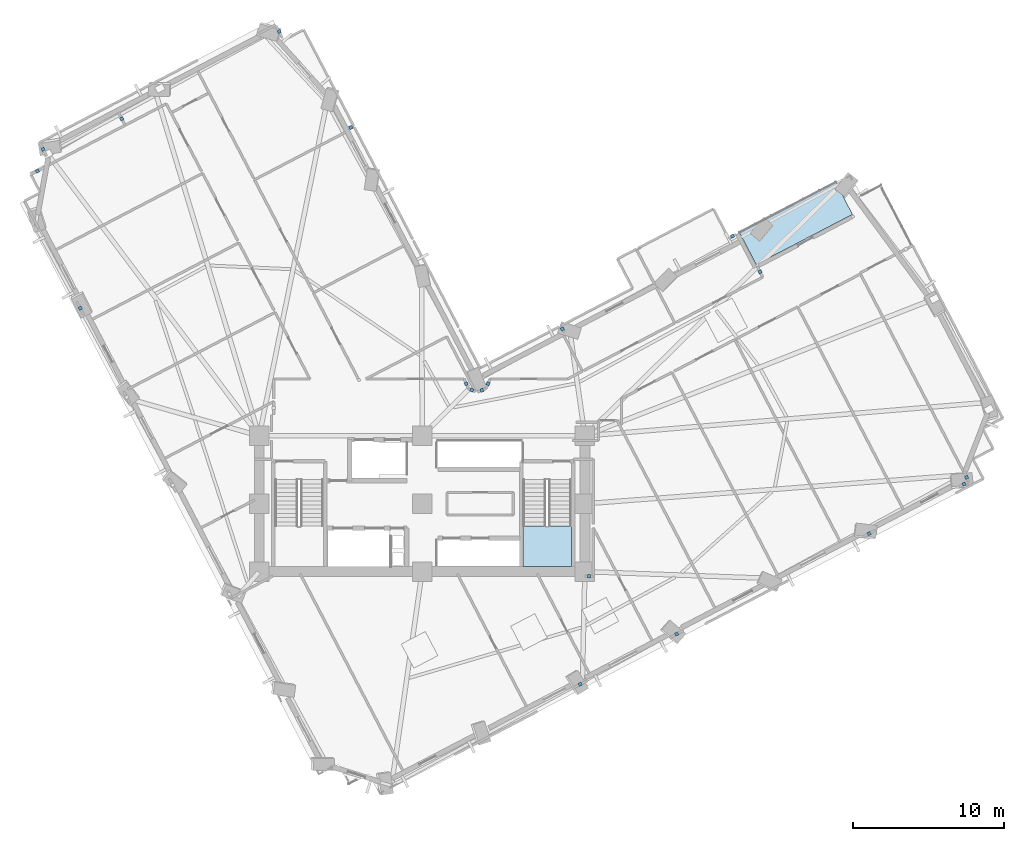
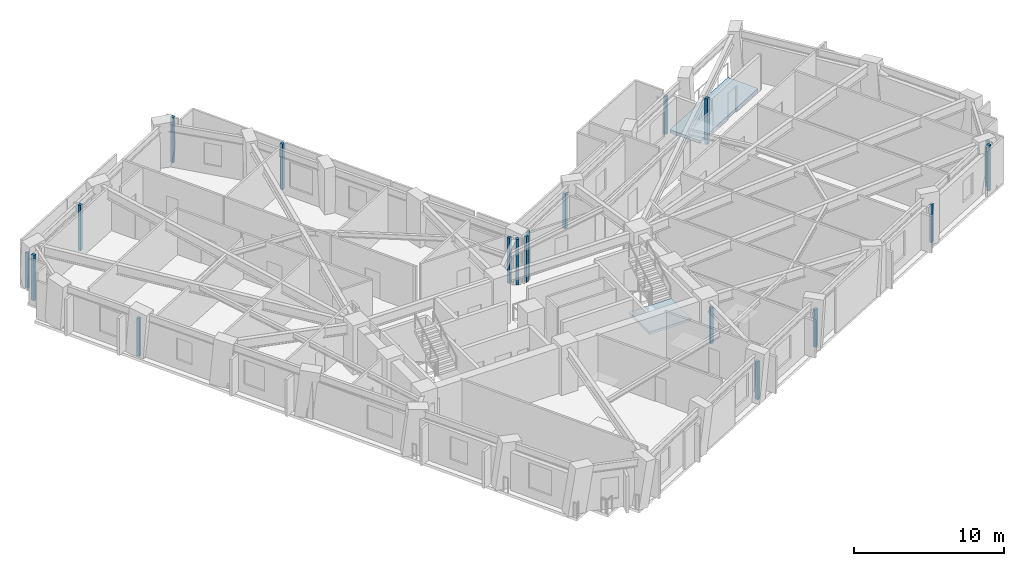
# One storey, part 5 of 16: 19 plates, 2 slabs, 1 element without a shape of its own.
"""IFC4 building model written with IfcOpenShell, lengths in metres."""

from ifc_helpers import new_model, si_unit, direction, frame, origin, origin_2d, place, context, subcontext, project, spatial, polyline, rectangle, outline, extrude, material, layer, layer_set, type_object, element, aggregate, save


model = new_model("IFC4")

# Units and contexts
model_context = context("Model", 3, precision=1e-05, world=origin(), true_north=direction((0.0, 1.0)))
body_context = subcontext(model_context, "Body", "Model", "MODEL_VIEW")
ifc_project = project(units=[si_unit("LENGTHUNIT", "METRE"), si_unit("AREAUNIT", "SQUARE_METRE"), si_unit("VOLUMEUNIT", "CUBIC_METRE"), si_unit("PLANEANGLEUNIT", "RADIAN"), si_unit("MASSUNIT", "GRAM", prefix="KILO")], contexts=[model_context])

# Site, building, storey
site_placement = place(None, origin())
site = spatial("IfcSite", under=ifc_project, at=site_placement, CompositionType="ELEMENT")
building_placement = place(site_placement, origin())
building = spatial("IfcBuilding", under=site, at=building_placement, Name="Gaonmaruhae Medical Tower", CompositionType="ELEMENT")
storey_placement = place(building_placement, frame((0.0, 0.0, 140.39990234375)))
storey = spatial("IfcBuildingStorey", under=building, at=storey_placement, Name="L33", CompositionType="ELEMENT", Elevation=140.39990234375)

# Plates
ifc_material_1 = material(Name="Anodised aluminium 6063-T6", Category="aluminium")
ifc_layer_1 = layer(ifc_material_1, 0.011962890625)
ifc_layer_set_1 = layer_set([ifc_layer_1], Name="Anodised aluminium 6063-T6")
plate_type = type_object("IfcPlateType", Name="PP-01 Interior Partition Corner Stiffener Plate", PredefinedType="SHEET", material=ifc_layer_set_1)
plate_1_placement = place(storey_placement, frame((35.2958984375, 0.32958984375, 0.0), z_axis=(0.0, 0.0, 1.0), x_axis=(-0.886526804891, -0.462677235456, 0.0)))
element("IfcPlate", 1, at=plate_1_placement, inside=storey, type_object=plate_type, Name="L33 Partition Corner Stiffener Plate PLT-L33-JGP-PW009", PredefinedType="SHEET", context=body_context, shape_type="SweptSolid", body=[
    extrude(rectangle(XDim=0.219970703125, YDim=0.219970703125, at=origin_2d()), origin(), (0.0, 0.0, 1.0), 3.0849609375),
])
plate_2_placement = place(storey_placement, frame((35.875, 7.5, 0.0), z_axis=(0.0, 0.0, 1.0), x_axis=(1.0, 0.0, 0.0)))
element("IfcPlate", 2, at=plate_2_placement, inside=storey, type_object=plate_type, Name="L33 Partition Corner Stiffener Plate PLT-L33-JGP-PW012", PredefinedType="SHEET", context=body_context, shape_type="SweptSolid", body=[
    extrude(rectangle(XDim=0.219970703125, YDim=0.219970703125, at=origin_2d()), origin(), (0.0, 0.0, 1.0), 2.885009765625),
])
for number, where, z_axis, x_axis, name in (
    (3, (41.678466796875, 3.659423828125, 0.0), (0.0, 0.0, 1.0), (-0.886421803938, -0.462878370096, 0.0), "L33 Partition Corner Stiffener Plate PLT-L33-JGP-PW019"),
    (4, (54.445068359375, 10.319091796875, 0.0), (0.0, 0.0, 1.0), (-0.886478348584, -0.462770069789, 0.0), "L33 Partition Corner Stiffener Plate PLT-L33-JGP-PW030"),
):
    element("IfcPlate", number, at=place(storey_placement, frame(where, z_axis=z_axis, x_axis=x_axis)), inside=storey, type_object=plate_type, Name=name, PredefinedType="SHEET", context=body_context, shape_type="SweptSolid", body=[
        extrude(rectangle(XDim=0.219970703125, YDim=0.219970703125, at=origin_2d()), origin(), (0.0, 0.0, 1.0), 3.0849609375),
    ])
for number, where, z_axis, x_axis, name in (
    (5, (60.906982421875, 14.053466796875, 0.0), (0.0, 0.0, 1.0), (0.462677235456, -0.886526804891, 0.0), "L33 Partition Corner Stiffener Plate PLT-L33-JGP-PW033"),
    (6, (60.7333984375, 13.599609375, 0.0), (0.0, 0.0, 1.0), (-0.886316757352, -0.463079480907, 0.0), "L33 Partition Corner Stiffener Plate PLT-L33-JGP-PW034"),
):
    element("IfcPlate", number, at=place(storey_placement, frame(where, z_axis=z_axis, x_axis=x_axis)), inside=storey, type_object=plate_type, Name=name, PredefinedType="SHEET", context=body_context, shape_type="SweptSolid", body=[
        extrude(rectangle(XDim=0.219970703125, YDim=0.219970703125, at=origin_2d()), origin(), (0.0, 0.0, 1.0), 3.699951171875),
    ])
plate_3_placement = place(storey_placement, frame((2.134521484375, 25.27099609375, 0.0), z_axis=(0.0, 0.0, 1.0), x_axis=(-0.462955723229, 0.886381406805, 0.0)))
element("IfcPlate", 7, at=plate_3_placement, inside=storey, type_object=plate_type, Name="L33 Partition Corner Stiffener Plate PLT-L33-JGP-PW053", PredefinedType="SHEET", context=body_context, shape_type="SweptSolid", body=[
    extrude(rectangle(XDim=0.219970703125, YDim=0.219970703125, at=origin_2d()), origin(), (0.0, 0.0, 1.0), 3.0849609375),
])
for number, where, z_axis, x_axis, name in (
    (8, (-0.705078125, 34.368408203125, 0.0), (0.0, 0.0, 1.0), (0.886462194321, 0.462801013438, 0.0), "L33 Partition Corner Stiffener Plate PLT-L33-JGP-PW054"),
    (9, (27.728515625, 20.260498046875, 0.0), (0.0, 0.0, 1.0), (-0.387998219728, 0.921660122544, 0.0), "L33 Partition Corner Stiffener Plate PLT-L33-JGP-PW060"),
    (10, (28.097412109375, 19.843994140625, 0.0), (0.0, 0.0, 1.0), (-0.924066436588, 0.382231893974, 0.0), "L33 Partition Corner Stiffener Plate PLT-L33-JGP-PW064"),
    (11, (29.175048828125, 20.260498046875, 0.0), (0.0, 0.0, 1.0), (-0.384311435659, -0.923203509754, 0.0), "L33 Partition Corner Stiffener Plate PLT-L33-JGP-PW065"),
    (12, (28.763916015625, 19.825927734375, 0.0), (0.0, 0.0, 1.0), (-0.924059765242, -0.382248021918, 0.0), "L33 Partition Corner Stiffener Plate PLT-L33-JGP-PW066"),
):
    element("IfcPlate", number, at=place(storey_placement, frame(where, z_axis=z_axis, x_axis=x_axis)), inside=storey, type_object=plate_type, Name=name, PredefinedType="SHEET", context=body_context, shape_type="SweptSolid", body=[
        extrude(rectangle(XDim=0.219970703125, YDim=0.219970703125, at=origin_2d()), origin(), (0.0, 0.0, 1.0), 3.699951171875),
    ])
plate_4_placement = place(storey_placement, frame((34.10546875, 23.892578125, 0.0), z_axis=(0.0, 0.0, 1.0), x_axis=(-0.463064011691, 0.886324839478, 0.0)))
element("IfcPlate", 13, at=plate_4_placement, inside=storey, type_object=plate_type, Name="L33 Partition Corner Stiffener Plate PLT-L33-JGP-PW076", PredefinedType="SHEET", context=body_context, shape_type="SweptSolid", body=[
    extrude(rectangle(XDim=0.219970703125, YDim=0.219970703125, at=origin_2d()), origin(), (0.0, 0.0, 1.0), 2.885009765625),
])
plate_5_placement = place(storey_placement, frame((47.2099609375, 27.681396484375, 0.0), z_axis=(0.0, 0.0, 1.0), x_axis=(0.46264628955, -0.886542954834, 0.0)))
element("IfcPlate", 14, at=plate_5_placement, inside=storey, type_object=plate_type, Name="L33 Partition Corner Stiffener Plate PLT-L33-JGP-PW079", PredefinedType="SHEET", context=body_context, shape_type="SweptSolid", body=[
    extrude(rectangle(XDim=0.219970703125, YDim=0.219970703125, at=origin_2d()), origin(), (0.0, 0.0, 1.0), 3.699951171875),
])
plate_6_placement = place(storey_placement, frame((45.386474609375, 30.04638671875, 0.0), z_axis=(0.0, 0.0, 1.0), x_axis=(0.88596897053, 0.463744523695, 0.0)))
element("IfcPlate", 15, at=plate_6_placement, inside=storey, type_object=plate_type, Name="L33 Partition Corner Stiffener Plate PLT-L33-JGP-PW083", PredefinedType="SHEET", context=body_context, shape_type="SweptSolid", body=[
    extrude(rectangle(XDim=0.219970703125, YDim=0.219970703125, at=origin_2d()), origin(), (0.0, 0.0, 1.0), 3.0849609375),
])
for number, where, z_axis, x_axis, name in (
    (16, (20.072998046875, 37.255615234375, 0.0), (0.0, 0.0, 1.0), (-0.886631760206, -0.462476076997, 0.0), "L33 Partition Corner Stiffener Plate PLT-L33-JGP-PW091"),
    (17, (15.326416015625, 43.613037109375, 0.0), (0.0, 0.0, 1.0), (0.462831956524, -0.886446038978, 0.0), "L33 Partition Corner Stiffener Plate PLT-L33-JGP-PW094"),
    (18, (4.883544921875, 37.839111328125, 0.0), (0.0, 0.0, 1.0), (0.4623832266, -0.886680185726, 0.0), "L33 Partition Corner Stiffener Plate PLT-L33-JGP-PW096"),
):
    element("IfcPlate", number, at=place(storey_placement, frame(where, z_axis=z_axis, x_axis=x_axis)), inside=storey, type_object=plate_type, Name=name, PredefinedType="SHEET", context=body_context, shape_type="SweptSolid", body=[
        extrude(rectangle(XDim=0.219970703125, YDim=0.219970703125, at=origin_2d()), origin(), (0.0, 0.0, 1.0), 3.699951171875),
    ])
plate_7_placement = place(storey_placement, frame((-0.340576171875, 35.80908203125, 0.0), z_axis=(0.0, 0.0, 1.0), x_axis=(-0.462801013438, 0.886462194321, 0.0)))
element("IfcPlate", 19, at=plate_7_placement, inside=storey, type_object=plate_type, Name="L33 Partition Corner Stiffener Plate PLT-L33-JGP-PW097", PredefinedType="SHEET", context=body_context, shape_type="SweptSolid", body=[
    extrude(rectangle(XDim=0.219970703125, YDim=0.219970703125, at=origin_2d()), origin(), (0.0, 0.0, 1.0), 2.885009765625),
])

# Stair, slab
ifc_material_2 = material(Name="Concrete C40/50", Category="concrete")
stair_type = type_object("IfcStairType", Name="ST-T1 Primary Core Escape Dogleg Stair", PredefinedType="TWO_QUARTER_TURN_STAIR", material=ifc_material_2)
stair_placement = place(storey_placement, origin())
stair = element("IfcStair", 20, at=stair_placement, inside=storey, type_object=stair_type, Name="L33 Protected Escape Stair ST-02", PredefinedType="TWO_QUARTER_TURN_STAIR")
ifc_layer_2 = layer(ifc_material_2, 0.199951171875)
ifc_layer_set_2 = layer_set([ifc_layer_2], Name="Concrete C40/50")
slab_type_1 = type_object("IfcSlabType", Name="SL-200 Stair & Ramp Intermediate Concrete Landing", PredefinedType="LANDING", material=ifc_layer_set_2)
slab_1_placement = place(storey_placement, frame((0.0, 0.0, 1.800048828125)))
slab_1 = element("IfcSlab", 21, at=slab_1_placement, type_object=slab_type_1, Name="ST-02 landing 1", PredefinedType="LANDING", context=body_context, shape_type="SweptSolid", body=[
    extrude(outline(polyline([(31.5, 10.820068359375), (31.5, 8.12890625), (34.699951171875, 8.12890625), (34.699951171875, 10.820068359375), (31.5, 10.820068359375)])), origin(), (0.0, 0.0, 1.0), 0.199951171875),
])
aggregate(stair, [slab_1])

# Slab
ifc_layer_3 = layer(ifc_material_2, 0.239990234375)
ifc_layer_set_3 = layer_set([ifc_layer_3], Name="Concrete C40/50")
slab_type_2 = type_object("IfcSlabType", Name="TS-240 Sky Garden & Recovery Terrace Slab", PredefinedType="FLOOR", material=ifc_layer_set_3)
slab_2_placement = place(storey_placement, frame((0.0, 0.0, -0.239990234375)))
element("IfcSlab", 22, at=slab_2_placement, inside=storey, type_object=slab_type_2, Name="L33 Outdoor Recovery Terrace Slab", PredefinedType="FLOOR", context=body_context, shape_type="SweptSolid", body=[
    extrude(outline(polyline([(46.960693359375, 28.16064453125), (53.34423828125, 31.49072265625), (52.234130859375, 33.61865234375), (45.8505859375, 30.28857421875), (46.960693359375, 28.16064453125)])), origin(), (0.0, 0.0, 1.0), 0.239990234375),
])

save(model, "model.ifc")
